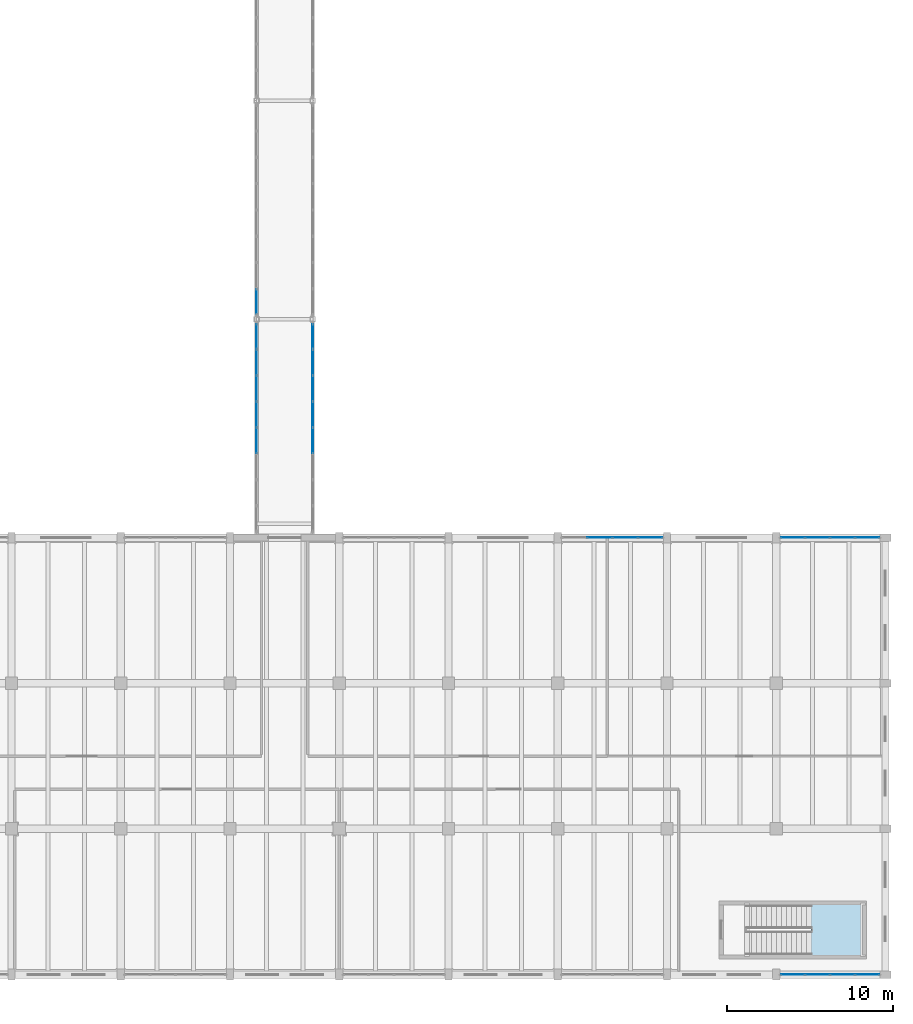
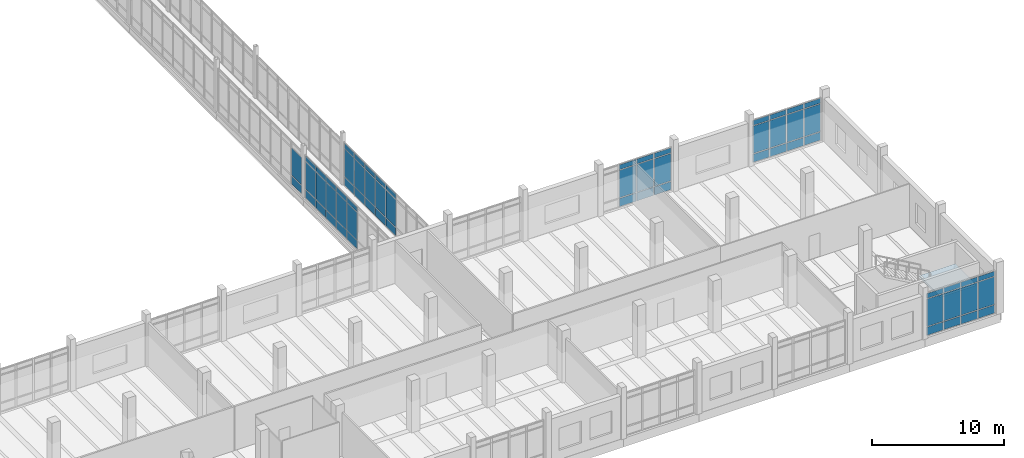
# One storey, part 74 of 125: 65 plates, 1 slab, 7 elements without a shape of their own.
"""IFC4 building model written with IfcOpenShell, lengths in metres."""

from ifc_helpers import new_model, si_unit, direction, frame, origin, origin_2d, place, context, subcontext, project, spatial, polyline, rectangle, outline, extrude, material, layer, layer_set, type_object, element, aggregate, save


model = new_model("IFC4")

# Units and contexts
model_context = context("Model", 3, precision=1e-05, world=origin(), true_north=direction((0.0, 1.0)))
body_context = subcontext(model_context, "Body", "Model", "MODEL_VIEW")
ifc_project = project(units=[si_unit("LENGTHUNIT", "METRE"), si_unit("AREAUNIT", "SQUARE_METRE"), si_unit("VOLUMEUNIT", "CUBIC_METRE"), si_unit("PLANEANGLEUNIT", "RADIAN"), si_unit("MASSUNIT", "GRAM", prefix="KILO")], contexts=[model_context])

# Site, building, storey
site_placement = place(None, origin())
site = spatial("IfcSite", under=ifc_project, at=site_placement, CompositionType="ELEMENT")
building_placement = place(site_placement, origin())
building = spatial("IfcBuilding", under=site, at=building_placement, Name="Dornvale Research Institute", CompositionType="ELEMENT")
storey_placement = place(building_placement, frame((0.0, 0.0, 5.39990234375)))
storey = spatial("IfcBuildingStorey", under=building, at=storey_placement, Name="L01", CompositionType="ELEMENT", Elevation=5.39990234375)

# Curtain wall, plates
ifc_material_1 = material(Name="Low-E Argon Double Insulating Glazing Unit", Category="glass")
curtain_wall_type_1 = type_object("IfcCurtainWallType", Name="UnitisedCurtainWall_V3_6150x4000", PredefinedType="USERDEFINED", material=ifc_material_1)
curtain_wall_1_placement = place(storey_placement, origin())
curtain_wall_1 = element("IfcCurtainWall", 1, at=curtain_wall_1_placement, inside=storey, type_object=curtain_wall_type_1, Name="L01 V3 unitised curtain wall CW-06 #34", ObjectType="UNITISED CURTAIN WALL", PredefinedType="USERDEFINED")
ifc_material_2 = material(Name="Insulated Ceramic-Frit Spandrel Glass Panel", Category="glass")
ifc_layer_1 = layer(ifc_material_2, 0.0419921875)
ifc_layer_set_1 = layer_set([ifc_layer_1], Name="Insulated Ceramic-Frit Spandrel Glass Panel")
plate_type_1 = type_object("IfcPlateType", Name="CurtainPanel_Spandrel_42", PredefinedType="CURTAIN_PANEL", material=ifc_layer_set_1)
plate_1_placement = place(storey_placement, frame((160.93115234375, 26.39990234375, 0.065185546875), z_axis=(0.0, 0.0, 1.0), x_axis=(1.0, 0.0, 0.0)))
plate_1 = element("IfcPlate", 2, at=plate_1_placement, type_object=plate_type_1, Name="CW-06 panel 2.1", PredefinedType="CURTAIN_PANEL", context=body_context, shape_type="SweptSolid", body=[
    extrude(rectangle(XDim=1.472412109375, YDim=0.0419921875, at=origin_2d()), origin(), (0.0, 0.0, 1.0), 0.75244140625),
])
plate_2_placement = place(storey_placement, frame((162.46875, 26.39990234375, 0.065185546875), z_axis=(0.0, 0.0, 1.0), x_axis=(1.0, 0.0, 0.0)))
plate_2 = element("IfcPlate", 3, at=plate_2_placement, type_object=plate_type_1, Name="CW-06 panel 3.1", PredefinedType="CURTAIN_PANEL", context=body_context, shape_type="SweptSolid", body=[
    extrude(rectangle(XDim=1.472412109375, YDim=0.0419921875, at=origin_2d()), origin(), (0.0, 0.0, 1.0), 0.75244140625),
])
plate_3_placement = place(storey_placement, frame((163.989990234375, 26.39990234375, 0.065185546875), z_axis=(0.0, 0.0, 1.0), x_axis=(1.0, 0.0, 0.0)))
plate_3 = element("IfcPlate", 4, at=plate_3_placement, type_object=plate_type_1, Name="CW-06 panel 4.1", PredefinedType="CURTAIN_PANEL", context=body_context, shape_type="SweptSolid", body=[
    extrude(rectangle(XDim=1.43994140625, YDim=0.0419921875, at=origin_2d()), origin(), (0.0, 0.0, 1.0), 0.75244140625),
])

ifc_material_3 = material(Name="Low-E Argon Double Insulating Glazing Unit", Category="glass")
curtain_wall_type_2 = type_object("IfcCurtainWallType", Name="UnitisedCurtainWall_V3_6050x4000", PredefinedType="USERDEFINED", material=ifc_material_3)
curtain_wall_2_placement = place(storey_placement, origin())
curtain_wall_2 = element("IfcCurtainWall", 5, at=curtain_wall_2_placement, inside=storey, type_object=curtain_wall_type_2, Name="L01 V3 unitised curtain wall CW-07 #35", ObjectType="UNITISED CURTAIN WALL", PredefinedType="USERDEFINED")
plate_4_placement = place(storey_placement, frame((172.597412109375, 26.39990234375, 0.065185546875), z_axis=(0.0, 0.0, 1.0), x_axis=(1.0, 0.0, 0.0)))
plate_4 = element("IfcPlate", 6, at=plate_4_placement, type_object=plate_type_1, Name="CW-07 panel 1.1", PredefinedType="CURTAIN_PANEL", context=body_context, shape_type="SweptSolid", body=[
    extrude(rectangle(XDim=1.4150390625, YDim=0.0419921875, at=origin_2d()), origin(), (0.0, 0.0, 1.0), 0.75244140625),
])
plate_5_placement = place(storey_placement, frame((174.09375, 26.39990234375, 0.065185546875), z_axis=(0.0, 0.0, 1.0), x_axis=(1.0, 0.0, 0.0)))
plate_5 = element("IfcPlate", 7, at=plate_5_placement, type_object=plate_type_1, Name="CW-07 panel 2.1", PredefinedType="CURTAIN_PANEL", context=body_context, shape_type="SweptSolid", body=[
    extrude(rectangle(XDim=1.447509765625, YDim=0.0419921875, at=origin_2d()), origin(), (0.0, 0.0, 1.0), 0.75244140625),
])
plate_6_placement = place(storey_placement, frame((175.606201171875, 26.39990234375, 0.065185546875), z_axis=(0.0, 0.0, 1.0), x_axis=(1.0, 0.0, 0.0)))
plate_6 = element("IfcPlate", 8, at=plate_6_placement, type_object=plate_type_1, Name="CW-07 panel 3.1", PredefinedType="CURTAIN_PANEL", context=body_context, shape_type="SweptSolid", body=[
    extrude(rectangle(XDim=1.447509765625, YDim=0.0419921875, at=origin_2d()), origin(), (0.0, 0.0, 1.0), 0.75244140625),
])
plate_7_placement = place(storey_placement, frame((177.1025390625, 26.39990234375, 0.065185546875), z_axis=(0.0, 0.0, 1.0), x_axis=(1.0, 0.0, 0.0)))
plate_7 = element("IfcPlate", 9, at=plate_7_placement, type_object=plate_type_1, Name="CW-07 panel 4.1", PredefinedType="CURTAIN_PANEL", context=body_context, shape_type="SweptSolid", body=[
    extrude(rectangle(XDim=1.4150390625, YDim=0.0419921875, at=origin_2d()), origin(), (0.0, 0.0, 1.0), 0.75244140625),
])

curtain_wall_3_placement = place(storey_placement, origin())
curtain_wall_3 = element("IfcCurtainWall", 10, at=curtain_wall_3_placement, inside=storey, type_object=curtain_wall_type_2, Name="L01 V3 unitised curtain wall CW-07 #36", ObjectType="UNITISED CURTAIN WALL", PredefinedType="USERDEFINED")
plate_8_placement = place(storey_placement, frame((177.1025390625, 0.0, 0.065185546875), z_axis=(0.0, 0.0, 1.0), x_axis=(-1.0, 0.0, 0.0)))
plate_8 = element("IfcPlate", 11, at=plate_8_placement, type_object=plate_type_1, Name="CW-07 panel 1.1", PredefinedType="CURTAIN_PANEL", context=body_context, shape_type="SweptSolid", body=[
    extrude(rectangle(XDim=1.4150390625, YDim=0.0419921875, at=origin_2d()), origin(), (0.0, 0.0, 1.0), 0.75244140625),
])
plate_9_placement = place(storey_placement, frame((175.606201171875, 0.0, 0.065185546875), z_axis=(0.0, 0.0, 1.0), x_axis=(-1.0, 0.0, 0.0)))
plate_9 = element("IfcPlate", 12, at=plate_9_placement, type_object=plate_type_1, Name="CW-07 panel 2.1", PredefinedType="CURTAIN_PANEL", context=body_context, shape_type="SweptSolid", body=[
    extrude(rectangle(XDim=1.447509765625, YDim=0.0419921875, at=origin_2d()), origin(), (0.0, 0.0, 1.0), 0.75244140625),
])
plate_10_placement = place(storey_placement, frame((174.09375, 0.0, 0.065185546875), z_axis=(0.0, 0.0, 1.0), x_axis=(-1.0, 0.0, 0.0)))
plate_10 = element("IfcPlate", 13, at=plate_10_placement, type_object=plate_type_1, Name="CW-07 panel 3.1", PredefinedType="CURTAIN_PANEL", context=body_context, shape_type="SweptSolid", body=[
    extrude(rectangle(XDim=1.447509765625, YDim=0.0419921875, at=origin_2d()), origin(), (0.0, 0.0, 1.0), 0.75244140625),
])
plate_11_placement = place(storey_placement, frame((172.597412109375, 0.0, 0.065185546875), z_axis=(0.0, 0.0, 1.0), x_axis=(-1.0, 0.0, 0.0)))
plate_11 = element("IfcPlate", 14, at=plate_11_placement, type_object=plate_type_1, Name="CW-07 panel 4.1", PredefinedType="CURTAIN_PANEL", context=body_context, shape_type="SweptSolid", body=[
    extrude(rectangle(XDim=1.4150390625, YDim=0.0419921875, at=origin_2d()), origin(), (0.0, 0.0, 1.0), 0.75244140625),
])

ifc_material_4 = material(Name="Low-E Argon Double Insulating Glazing Unit", Category="glass")
curtain_wall_type_3 = type_object("IfcCurtainWallType", Name="UnitisedCurtainWall_V2_12600x4000", PredefinedType="USERDEFINED", material=ifc_material_4)
curtain_wall_4_placement = place(storey_placement, origin())
curtain_wall_4 = element("IfcCurtainWall", 15, at=curtain_wall_4_placement, inside=storey, type_object=curtain_wall_type_3, Name="L01 V2 unitised curtain wall CW-41 #231", ObjectType="UNITISED CURTAIN WALL", PredefinedType="USERDEFINED")
plate_12_placement = place(storey_placement, frame((140.199951171875, 32.262451171875, 0.065185546875), z_axis=(0.0, 0.0, 1.0), x_axis=(0.0, 1.0, 0.0)))
plate_12 = element("IfcPlate", 16, at=plate_12_placement, type_object=plate_type_1, Name="CW-41 panel 4.1", PredefinedType="CURTAIN_PANEL", context=body_context, shape_type="SweptSolid", body=[
    extrude(rectangle(XDim=1.510009765625, YDim=0.0419921875, at=origin_2d()), origin(), (0.0, 0.0, 1.0), 0.75244140625),
])
plate_13_placement = place(storey_placement, frame((140.199951171875, 33.83740234375, 0.065185546875), z_axis=(0.0, 0.0, 1.0), x_axis=(0.0, 1.0, 0.0)))
plate_13 = element("IfcPlate", 17, at=plate_13_placement, type_object=plate_type_1, Name="CW-41 panel 5.1", PredefinedType="CURTAIN_PANEL", context=body_context, shape_type="SweptSolid", body=[
    extrude(rectangle(XDim=1.510009765625, YDim=0.0419921875, at=origin_2d()), origin(), (0.0, 0.0, 1.0), 0.75244140625),
])
plate_14_placement = place(storey_placement, frame((140.199951171875, 35.41259765625, 0.065185546875), z_axis=(0.0, 0.0, 1.0), x_axis=(0.0, 1.0, 0.0)))
plate_14 = element("IfcPlate", 18, at=plate_14_placement, type_object=plate_type_1, Name="CW-41 panel 6.1", PredefinedType="CURTAIN_PANEL", context=body_context, shape_type="SweptSolid", body=[
    extrude(rectangle(XDim=1.510009765625, YDim=0.0419921875, at=origin_2d()), origin(), (0.0, 0.0, 1.0), 0.75244140625),
])
plate_15_placement = place(storey_placement, frame((140.199951171875, 36.987548828125, 0.065185546875), z_axis=(0.0, 0.0, 1.0), x_axis=(0.0, 1.0, 0.0)))
plate_15 = element("IfcPlate", 19, at=plate_15_placement, type_object=plate_type_1, Name="CW-41 panel 7.1", PredefinedType="CURTAIN_PANEL", context=body_context, shape_type="SweptSolid", body=[
    extrude(rectangle(XDim=1.510009765625, YDim=0.0419921875, at=origin_2d()), origin(), (0.0, 0.0, 1.0), 0.75244140625),
])
plate_16_placement = place(storey_placement, frame((140.199951171875, 38.546142578125, 0.065185546875), z_axis=(0.0, 0.0, 1.0), x_axis=(0.0, 1.0, 0.0)))
plate_16 = element("IfcPlate", 20, at=plate_16_placement, type_object=plate_type_1, Name="CW-41 panel 8.1", PredefinedType="CURTAIN_PANEL", context=body_context, shape_type="SweptSolid", body=[
    extrude(rectangle(XDim=1.4775390625, YDim=0.0419921875, at=origin_2d()), origin(), (0.0, 0.0, 1.0), 0.75244140625),
])

curtain_wall_5_placement = place(storey_placement, origin())
curtain_wall_5 = element("IfcCurtainWall", 21, at=curtain_wall_5_placement, inside=storey, type_object=curtain_wall_type_3, Name="L01 V2 unitised curtain wall CW-41 #232", ObjectType="UNITISED CURTAIN WALL", PredefinedType="USERDEFINED")
plate_17_placement = place(storey_placement, frame((143.60009765625, 38.546142578125, 0.065185546875), z_axis=(0.0, 0.0, 1.0), x_axis=(0.0, -1.0, 0.0)))
plate_17 = element("IfcPlate", 22, at=plate_17_placement, type_object=plate_type_1, Name="CW-41 panel 1.1", PredefinedType="CURTAIN_PANEL", context=body_context, shape_type="SweptSolid", body=[
    extrude(rectangle(XDim=1.4775390625, YDim=0.0419921875, at=origin_2d()), origin(), (0.0, 0.0, 1.0), 0.75244140625),
])
plate_18_placement = place(storey_placement, frame((143.60009765625, 36.987548828125, 0.065185546875), z_axis=(0.0, 0.0, 1.0), x_axis=(0.0, -1.0, 0.0)))
plate_18 = element("IfcPlate", 23, at=plate_18_placement, type_object=plate_type_1, Name="CW-41 panel 2.1", PredefinedType="CURTAIN_PANEL", context=body_context, shape_type="SweptSolid", body=[
    extrude(rectangle(XDim=1.510009765625, YDim=0.0419921875, at=origin_2d()), origin(), (0.0, 0.0, 1.0), 0.75244140625),
])
plate_19_placement = place(storey_placement, frame((143.60009765625, 35.41259765625, 0.065185546875), z_axis=(0.0, 0.0, 1.0), x_axis=(0.0, -1.0, 0.0)))
plate_19 = element("IfcPlate", 24, at=plate_19_placement, type_object=plate_type_1, Name="CW-41 panel 3.1", PredefinedType="CURTAIN_PANEL", context=body_context, shape_type="SweptSolid", body=[
    extrude(rectangle(XDim=1.510009765625, YDim=0.0419921875, at=origin_2d()), origin(), (0.0, 0.0, 1.0), 0.75244140625),
])
plate_20_placement = place(storey_placement, frame((143.60009765625, 33.83740234375, 0.065185546875), z_axis=(0.0, 0.0, 1.0), x_axis=(0.0, -1.0, 0.0)))
plate_20 = element("IfcPlate", 25, at=plate_20_placement, type_object=plate_type_1, Name="CW-41 panel 4.1", PredefinedType="CURTAIN_PANEL", context=body_context, shape_type="SweptSolid", body=[
    extrude(rectangle(XDim=1.510009765625, YDim=0.0419921875, at=origin_2d()), origin(), (0.0, 0.0, 1.0), 0.75244140625),
])
plate_21_placement = place(storey_placement, frame((143.60009765625, 32.262451171875, 0.065185546875), z_axis=(0.0, 0.0, 1.0), x_axis=(0.0, -1.0, 0.0)))
plate_21 = element("IfcPlate", 26, at=plate_21_placement, type_object=plate_type_1, Name="CW-41 panel 5.1", PredefinedType="CURTAIN_PANEL", context=body_context, shape_type="SweptSolid", body=[
    extrude(rectangle(XDim=1.510009765625, YDim=0.0419921875, at=origin_2d()), origin(), (0.0, 0.0, 1.0), 0.75244140625),
])

# Curtain wall, plate
ifc_material_5 = material(Name="Low-E Argon Double Insulating Glazing Unit", Category="glass")
curtain_wall_type_4 = type_object("IfcCurtainWallType", Name="UnitisedCurtainWall_V2_12700x4000", PredefinedType="USERDEFINED", material=ifc_material_5)
curtain_wall_6_placement = place(storey_placement, origin())
curtain_wall_6 = element("IfcCurtainWall", 27, at=curtain_wall_6_placement, inside=storey, type_object=curtain_wall_type_4, Name="L01 V2 unitised curtain wall CW-42 #233", ObjectType="UNITISED CURTAIN WALL", PredefinedType="USERDEFINED")
plate_22_placement = place(storey_placement, frame((140.199951171875, 40.659912109375, 0.065185546875), z_axis=(0.0, 0.0, 1.0), x_axis=(0.0, 1.0, 0.0)))
plate_22 = element("IfcPlate", 28, at=plate_22_placement, type_object=plate_type_1, Name="CW-42 panel 1.1", PredefinedType="CURTAIN_PANEL", context=body_context, shape_type="SweptSolid", body=[
    extrude(rectangle(XDim=1.489990234375, YDim=0.0419921875, at=origin_2d()), origin(), (0.0, 0.0, 1.0), 0.75244140625),
])

# Plate
ifc_material_6 = material(Name="Low-E Argon Double Insulating Glazing Unit", Category="glass")
ifc_layer_2 = layer(ifc_material_6, 0.028076171875)
ifc_layer_set_2 = layer_set([ifc_layer_2], Name="Low-E Argon Double Insulating Glazing Unit")
plate_type_2 = type_object("IfcPlateType", Name="CurtainPanel_Vision_28", PredefinedType="CURTAIN_PANEL", material=ifc_layer_set_2)
plate_23_placement = place(storey_placement, frame((160.93115234375, 26.39990234375, 0.8828125), z_axis=(0.0, 0.0, 1.0), x_axis=(1.0, 0.0, 0.0)))
plate_23 = element("IfcPlate", 29, at=plate_23_placement, type_object=plate_type_2, Name="CW-06 panel 2.2", PredefinedType="CURTAIN_PANEL", context=body_context, shape_type="SweptSolid", body=[
    extrude(rectangle(XDim=1.472412109375, YDim=0.028076171875, at=origin_2d()), origin(), (0.0, 0.0, 1.0), 2.534912109375),
])

plate_24_placement = place(storey_placement, frame((160.93115234375, 26.39990234375, 3.482421875), z_axis=(0.0, 0.0, 1.0), x_axis=(1.0, 0.0, 0.0)))
plate_24 = element("IfcPlate", 30, at=plate_24_placement, type_object=plate_type_2, Name="CW-06 panel 2.3", PredefinedType="CURTAIN_PANEL", context=body_context, shape_type="SweptSolid", body=[
    extrude(rectangle(XDim=1.472412109375, YDim=0.028076171875, at=origin_2d()), origin(), (0.0, 0.0, 1.0), 0.452392578125),
])

plate_25_placement = place(storey_placement, frame((162.46875, 26.39990234375, 0.8828125), z_axis=(0.0, 0.0, 1.0), x_axis=(1.0, 0.0, 0.0)))
plate_25 = element("IfcPlate", 31, at=plate_25_placement, type_object=plate_type_2, Name="CW-06 panel 3.2", PredefinedType="CURTAIN_PANEL", context=body_context, shape_type="SweptSolid", body=[
    extrude(rectangle(XDim=1.472412109375, YDim=0.028076171875, at=origin_2d()), origin(), (0.0, 0.0, 1.0), 2.534912109375),
])

plate_26_placement = place(storey_placement, frame((162.46875, 26.39990234375, 3.482421875), z_axis=(0.0, 0.0, 1.0), x_axis=(1.0, 0.0, 0.0)))
plate_26 = element("IfcPlate", 32, at=plate_26_placement, type_object=plate_type_2, Name="CW-06 panel 3.3", PredefinedType="CURTAIN_PANEL", context=body_context, shape_type="SweptSolid", body=[
    extrude(rectangle(XDim=1.472412109375, YDim=0.028076171875, at=origin_2d()), origin(), (0.0, 0.0, 1.0), 0.452392578125),
])

plate_27_placement = place(storey_placement, frame((163.989990234375, 26.39990234375, 0.8828125), z_axis=(0.0, 0.0, 1.0), x_axis=(1.0, 0.0, 0.0)))
plate_27 = element("IfcPlate", 33, at=plate_27_placement, type_object=plate_type_2, Name="CW-06 panel 4.2", PredefinedType="CURTAIN_PANEL", context=body_context, shape_type="SweptSolid", body=[
    extrude(rectangle(XDim=1.43994140625, YDim=0.028076171875, at=origin_2d()), origin(), (0.0, 0.0, 1.0), 2.534912109375),
])

plate_28_placement = place(storey_placement, frame((163.989990234375, 26.39990234375, 3.482421875), z_axis=(0.0, 0.0, 1.0), x_axis=(1.0, 0.0, 0.0)))
plate_28 = element("IfcPlate", 34, at=plate_28_placement, type_object=plate_type_2, Name="CW-06 panel 4.3", PredefinedType="CURTAIN_PANEL", context=body_context, shape_type="SweptSolid", body=[
    extrude(rectangle(XDim=1.43994140625, YDim=0.028076171875, at=origin_2d()), origin(), (0.0, 0.0, 1.0), 0.452392578125),
])

aggregate(curtain_wall_1, [plate_1, plate_23, plate_24, plate_2, plate_25, plate_26, plate_3, plate_27, plate_28])

plate_29_placement = place(storey_placement, frame((172.597412109375, 26.39990234375, 0.8828125), z_axis=(0.0, 0.0, 1.0), x_axis=(1.0, 0.0, 0.0)))
plate_29 = element("IfcPlate", 35, at=plate_29_placement, type_object=plate_type_2, Name="CW-07 panel 1.2", PredefinedType="CURTAIN_PANEL", context=body_context, shape_type="SweptSolid", body=[
    extrude(rectangle(XDim=1.4150390625, YDim=0.028076171875, at=origin_2d()), origin(), (0.0, 0.0, 1.0), 2.534912109375),
])

plate_30_placement = place(storey_placement, frame((172.597412109375, 26.39990234375, 3.482421875), z_axis=(0.0, 0.0, 1.0), x_axis=(1.0, 0.0, 0.0)))
plate_30 = element("IfcPlate", 36, at=plate_30_placement, type_object=plate_type_2, Name="CW-07 panel 1.3", PredefinedType="CURTAIN_PANEL", context=body_context, shape_type="SweptSolid", body=[
    extrude(rectangle(XDim=1.4150390625, YDim=0.028076171875, at=origin_2d()), origin(), (0.0, 0.0, 1.0), 0.452392578125),
])

plate_31_placement = place(storey_placement, frame((174.09375, 26.39990234375, 0.8828125), z_axis=(0.0, 0.0, 1.0), x_axis=(1.0, 0.0, 0.0)))
plate_31 = element("IfcPlate", 37, at=plate_31_placement, type_object=plate_type_2, Name="CW-07 panel 2.2", PredefinedType="CURTAIN_PANEL", context=body_context, shape_type="SweptSolid", body=[
    extrude(rectangle(XDim=1.447509765625, YDim=0.028076171875, at=origin_2d()), origin(), (0.0, 0.0, 1.0), 2.534912109375),
])

plate_32_placement = place(storey_placement, frame((174.09375, 26.39990234375, 3.482421875), z_axis=(0.0, 0.0, 1.0), x_axis=(1.0, 0.0, 0.0)))
plate_32 = element("IfcPlate", 38, at=plate_32_placement, type_object=plate_type_2, Name="CW-07 panel 2.3", PredefinedType="CURTAIN_PANEL", context=body_context, shape_type="SweptSolid", body=[
    extrude(rectangle(XDim=1.447509765625, YDim=0.028076171875, at=origin_2d()), origin(), (0.0, 0.0, 1.0), 0.452392578125),
])

plate_33_placement = place(storey_placement, frame((175.606201171875, 26.39990234375, 0.8828125), z_axis=(0.0, 0.0, 1.0), x_axis=(1.0, 0.0, 0.0)))
plate_33 = element("IfcPlate", 39, at=plate_33_placement, type_object=plate_type_2, Name="CW-07 panel 3.2", PredefinedType="CURTAIN_PANEL", context=body_context, shape_type="SweptSolid", body=[
    extrude(rectangle(XDim=1.447509765625, YDim=0.028076171875, at=origin_2d()), origin(), (0.0, 0.0, 1.0), 2.534912109375),
])

plate_34_placement = place(storey_placement, frame((175.606201171875, 26.39990234375, 3.482421875), z_axis=(0.0, 0.0, 1.0), x_axis=(1.0, 0.0, 0.0)))
plate_34 = element("IfcPlate", 40, at=plate_34_placement, type_object=plate_type_2, Name="CW-07 panel 3.3", PredefinedType="CURTAIN_PANEL", context=body_context, shape_type="SweptSolid", body=[
    extrude(rectangle(XDim=1.447509765625, YDim=0.028076171875, at=origin_2d()), origin(), (0.0, 0.0, 1.0), 0.452392578125),
])

plate_35_placement = place(storey_placement, frame((177.1025390625, 26.39990234375, 0.8828125), z_axis=(0.0, 0.0, 1.0), x_axis=(1.0, 0.0, 0.0)))
plate_35 = element("IfcPlate", 41, at=plate_35_placement, type_object=plate_type_2, Name="CW-07 panel 4.2", PredefinedType="CURTAIN_PANEL", context=body_context, shape_type="SweptSolid", body=[
    extrude(rectangle(XDim=1.4150390625, YDim=0.028076171875, at=origin_2d()), origin(), (0.0, 0.0, 1.0), 2.534912109375),
])

plate_36_placement = place(storey_placement, frame((177.1025390625, 26.39990234375, 3.482421875), z_axis=(0.0, 0.0, 1.0), x_axis=(1.0, 0.0, 0.0)))
plate_36 = element("IfcPlate", 42, at=plate_36_placement, type_object=plate_type_2, Name="CW-07 panel 4.3", PredefinedType="CURTAIN_PANEL", context=body_context, shape_type="SweptSolid", body=[
    extrude(rectangle(XDim=1.4150390625, YDim=0.028076171875, at=origin_2d()), origin(), (0.0, 0.0, 1.0), 0.452392578125),
])

aggregate(curtain_wall_2, [plate_4, plate_29, plate_30, plate_5, plate_31, plate_32, plate_6, plate_33, plate_34, plate_7, plate_35, plate_36])

plate_37_placement = place(storey_placement, frame((177.1025390625, 0.0, 0.8828125), z_axis=(0.0, 0.0, 1.0), x_axis=(-1.0, 0.0, 0.0)))
plate_37 = element("IfcPlate", 43, at=plate_37_placement, type_object=plate_type_2, Name="CW-07 panel 1.2", PredefinedType="CURTAIN_PANEL", context=body_context, shape_type="SweptSolid", body=[
    extrude(rectangle(XDim=1.4150390625, YDim=0.028076171875, at=origin_2d()), origin(), (0.0, 0.0, 1.0), 2.534912109375),
])

plate_38_placement = place(storey_placement, frame((177.1025390625, 0.0, 3.482421875), z_axis=(0.0, 0.0, 1.0), x_axis=(-1.0, 0.0, 0.0)))
plate_38 = element("IfcPlate", 44, at=plate_38_placement, type_object=plate_type_2, Name="CW-07 panel 1.3", PredefinedType="CURTAIN_PANEL", context=body_context, shape_type="SweptSolid", body=[
    extrude(rectangle(XDim=1.4150390625, YDim=0.028076171875, at=origin_2d()), origin(), (0.0, 0.0, 1.0), 0.452392578125),
])

plate_39_placement = place(storey_placement, frame((175.606201171875, 0.0, 0.8828125), z_axis=(0.0, 0.0, 1.0), x_axis=(-1.0, 0.0, 0.0)))
plate_39 = element("IfcPlate", 45, at=plate_39_placement, type_object=plate_type_2, Name="CW-07 panel 2.2", PredefinedType="CURTAIN_PANEL", context=body_context, shape_type="SweptSolid", body=[
    extrude(rectangle(XDim=1.447509765625, YDim=0.028076171875, at=origin_2d()), origin(), (0.0, 0.0, 1.0), 2.534912109375),
])

plate_40_placement = place(storey_placement, frame((175.606201171875, 0.0, 3.482421875), z_axis=(0.0, 0.0, 1.0), x_axis=(-1.0, 0.0, 0.0)))
plate_40 = element("IfcPlate", 46, at=plate_40_placement, type_object=plate_type_2, Name="CW-07 panel 2.3", PredefinedType="CURTAIN_PANEL", context=body_context, shape_type="SweptSolid", body=[
    extrude(rectangle(XDim=1.447509765625, YDim=0.028076171875, at=origin_2d()), origin(), (0.0, 0.0, 1.0), 0.452392578125),
])

plate_41_placement = place(storey_placement, frame((174.09375, 0.0, 0.8828125), z_axis=(0.0, 0.0, 1.0), x_axis=(-1.0, 0.0, 0.0)))
plate_41 = element("IfcPlate", 47, at=plate_41_placement, type_object=plate_type_2, Name="CW-07 panel 3.2", PredefinedType="CURTAIN_PANEL", context=body_context, shape_type="SweptSolid", body=[
    extrude(rectangle(XDim=1.447509765625, YDim=0.028076171875, at=origin_2d()), origin(), (0.0, 0.0, 1.0), 2.534912109375),
])

plate_42_placement = place(storey_placement, frame((174.09375, 0.0, 3.482421875), z_axis=(0.0, 0.0, 1.0), x_axis=(-1.0, 0.0, 0.0)))
plate_42 = element("IfcPlate", 48, at=plate_42_placement, type_object=plate_type_2, Name="CW-07 panel 3.3", PredefinedType="CURTAIN_PANEL", context=body_context, shape_type="SweptSolid", body=[
    extrude(rectangle(XDim=1.447509765625, YDim=0.028076171875, at=origin_2d()), origin(), (0.0, 0.0, 1.0), 0.452392578125),
])

plate_43_placement = place(storey_placement, frame((172.597412109375, 0.0, 0.8828125), z_axis=(0.0, 0.0, 1.0), x_axis=(-1.0, 0.0, 0.0)))
plate_43 = element("IfcPlate", 49, at=plate_43_placement, type_object=plate_type_2, Name="CW-07 panel 4.2", PredefinedType="CURTAIN_PANEL", context=body_context, shape_type="SweptSolid", body=[
    extrude(rectangle(XDim=1.4150390625, YDim=0.028076171875, at=origin_2d()), origin(), (0.0, 0.0, 1.0), 2.534912109375),
])

plate_44_placement = place(storey_placement, frame((172.597412109375, 0.0, 3.482421875), z_axis=(0.0, 0.0, 1.0), x_axis=(-1.0, 0.0, 0.0)))
plate_44 = element("IfcPlate", 50, at=plate_44_placement, type_object=plate_type_2, Name="CW-07 panel 4.3", PredefinedType="CURTAIN_PANEL", context=body_context, shape_type="SweptSolid", body=[
    extrude(rectangle(XDim=1.4150390625, YDim=0.028076171875, at=origin_2d()), origin(), (0.0, 0.0, 1.0), 0.452392578125),
])

aggregate(curtain_wall_3, [plate_8, plate_37, plate_38, plate_9, plate_39, plate_40, plate_10, plate_41, plate_42, plate_11, plate_43, plate_44])

plate_45_placement = place(storey_placement, frame((140.199951171875, 32.262451171875, 0.8828125), z_axis=(0.0, 0.0, 1.0), x_axis=(0.0, 1.0, 0.0)))
plate_45 = element("IfcPlate", 51, at=plate_45_placement, type_object=plate_type_2, Name="CW-41 panel 4.2", PredefinedType="CURTAIN_PANEL", context=body_context, shape_type="SweptSolid", body=[
    extrude(rectangle(XDim=1.510009765625, YDim=0.028076171875, at=origin_2d()), origin(), (0.0, 0.0, 1.0), 2.534912109375),
])

plate_46_placement = place(storey_placement, frame((140.199951171875, 32.262451171875, 3.482421875), z_axis=(0.0, 0.0, 1.0), x_axis=(0.0, 1.0, 0.0)))
plate_46 = element("IfcPlate", 52, at=plate_46_placement, type_object=plate_type_2, Name="CW-41 panel 4.3", PredefinedType="CURTAIN_PANEL", context=body_context, shape_type="SweptSolid", body=[
    extrude(rectangle(XDim=1.510009765625, YDim=0.028076171875, at=origin_2d()), origin(), (0.0, 0.0, 1.0), 0.452392578125),
])

plate_47_placement = place(storey_placement, frame((140.199951171875, 33.83740234375, 0.8828125), z_axis=(0.0, 0.0, 1.0), x_axis=(0.0, 1.0, 0.0)))
plate_47 = element("IfcPlate", 53, at=plate_47_placement, type_object=plate_type_2, Name="CW-41 panel 5.2", PredefinedType="CURTAIN_PANEL", context=body_context, shape_type="SweptSolid", body=[
    extrude(rectangle(XDim=1.510009765625, YDim=0.028076171875, at=origin_2d()), origin(), (0.0, 0.0, 1.0), 2.534912109375),
])

plate_48_placement = place(storey_placement, frame((140.199951171875, 33.83740234375, 3.482421875), z_axis=(0.0, 0.0, 1.0), x_axis=(0.0, 1.0, 0.0)))
plate_48 = element("IfcPlate", 54, at=plate_48_placement, type_object=plate_type_2, Name="CW-41 panel 5.3", PredefinedType="CURTAIN_PANEL", context=body_context, shape_type="SweptSolid", body=[
    extrude(rectangle(XDim=1.510009765625, YDim=0.028076171875, at=origin_2d()), origin(), (0.0, 0.0, 1.0), 0.452392578125),
])

plate_49_placement = place(storey_placement, frame((140.199951171875, 35.41259765625, 0.8828125), z_axis=(0.0, 0.0, 1.0), x_axis=(0.0, 1.0, 0.0)))
plate_49 = element("IfcPlate", 55, at=plate_49_placement, type_object=plate_type_2, Name="CW-41 panel 6.2", PredefinedType="CURTAIN_PANEL", context=body_context, shape_type="SweptSolid", body=[
    extrude(rectangle(XDim=1.510009765625, YDim=0.028076171875, at=origin_2d()), origin(), (0.0, 0.0, 1.0), 2.534912109375),
])

plate_50_placement = place(storey_placement, frame((140.199951171875, 35.41259765625, 3.482421875), z_axis=(0.0, 0.0, 1.0), x_axis=(0.0, 1.0, 0.0)))
plate_50 = element("IfcPlate", 56, at=plate_50_placement, type_object=plate_type_2, Name="CW-41 panel 6.3", PredefinedType="CURTAIN_PANEL", context=body_context, shape_type="SweptSolid", body=[
    extrude(rectangle(XDim=1.510009765625, YDim=0.028076171875, at=origin_2d()), origin(), (0.0, 0.0, 1.0), 0.452392578125),
])

plate_51_placement = place(storey_placement, frame((140.199951171875, 36.987548828125, 0.8828125), z_axis=(0.0, 0.0, 1.0), x_axis=(0.0, 1.0, 0.0)))
plate_51 = element("IfcPlate", 57, at=plate_51_placement, type_object=plate_type_2, Name="CW-41 panel 7.2", PredefinedType="CURTAIN_PANEL", context=body_context, shape_type="SweptSolid", body=[
    extrude(rectangle(XDim=1.510009765625, YDim=0.028076171875, at=origin_2d()), origin(), (0.0, 0.0, 1.0), 2.534912109375),
])

plate_52_placement = place(storey_placement, frame((140.199951171875, 36.987548828125, 3.482421875), z_axis=(0.0, 0.0, 1.0), x_axis=(0.0, 1.0, 0.0)))
plate_52 = element("IfcPlate", 58, at=plate_52_placement, type_object=plate_type_2, Name="CW-41 panel 7.3", PredefinedType="CURTAIN_PANEL", context=body_context, shape_type="SweptSolid", body=[
    extrude(rectangle(XDim=1.510009765625, YDim=0.028076171875, at=origin_2d()), origin(), (0.0, 0.0, 1.0), 0.452392578125),
])

plate_53_placement = place(storey_placement, frame((140.199951171875, 38.546142578125, 0.8828125), z_axis=(0.0, 0.0, 1.0), x_axis=(0.0, 1.0, 0.0)))
plate_53 = element("IfcPlate", 59, at=plate_53_placement, type_object=plate_type_2, Name="CW-41 panel 8.2", PredefinedType="CURTAIN_PANEL", context=body_context, shape_type="SweptSolid", body=[
    extrude(rectangle(XDim=1.4775390625, YDim=0.028076171875, at=origin_2d()), origin(), (0.0, 0.0, 1.0), 2.534912109375),
])

plate_54_placement = place(storey_placement, frame((140.199951171875, 38.546142578125, 3.482421875), z_axis=(0.0, 0.0, 1.0), x_axis=(0.0, 1.0, 0.0)))
plate_54 = element("IfcPlate", 60, at=plate_54_placement, type_object=plate_type_2, Name="CW-41 panel 8.3", PredefinedType="CURTAIN_PANEL", context=body_context, shape_type="SweptSolid", body=[
    extrude(rectangle(XDim=1.4775390625, YDim=0.028076171875, at=origin_2d()), origin(), (0.0, 0.0, 1.0), 0.452392578125),
])

aggregate(curtain_wall_4, [plate_12, plate_45, plate_46, plate_13, plate_47, plate_48, plate_14, plate_49, plate_50, plate_15, plate_51, plate_52, plate_16, plate_53, plate_54])

plate_55_placement = place(storey_placement, frame((143.60009765625, 38.546142578125, 0.8828125), z_axis=(0.0, 0.0, 1.0), x_axis=(0.0, -1.0, 0.0)))
plate_55 = element("IfcPlate", 61, at=plate_55_placement, type_object=plate_type_2, Name="CW-41 panel 1.2", PredefinedType="CURTAIN_PANEL", context=body_context, shape_type="SweptSolid", body=[
    extrude(rectangle(XDim=1.4775390625, YDim=0.028076171875, at=origin_2d()), origin(), (0.0, 0.0, 1.0), 2.534912109375),
])

plate_56_placement = place(storey_placement, frame((143.60009765625, 38.546142578125, 3.482421875), z_axis=(0.0, 0.0, 1.0), x_axis=(0.0, -1.0, 0.0)))
plate_56 = element("IfcPlate", 62, at=plate_56_placement, type_object=plate_type_2, Name="CW-41 panel 1.3", PredefinedType="CURTAIN_PANEL", context=body_context, shape_type="SweptSolid", body=[
    extrude(rectangle(XDim=1.4775390625, YDim=0.028076171875, at=origin_2d()), origin(), (0.0, 0.0, 1.0), 0.452392578125),
])

plate_57_placement = place(storey_placement, frame((143.60009765625, 36.987548828125, 0.8828125), z_axis=(0.0, 0.0, 1.0), x_axis=(0.0, -1.0, 0.0)))
plate_57 = element("IfcPlate", 63, at=plate_57_placement, type_object=plate_type_2, Name="CW-41 panel 2.2", PredefinedType="CURTAIN_PANEL", context=body_context, shape_type="SweptSolid", body=[
    extrude(rectangle(XDim=1.510009765625, YDim=0.028076171875, at=origin_2d()), origin(), (0.0, 0.0, 1.0), 2.534912109375),
])

plate_58_placement = place(storey_placement, frame((143.60009765625, 36.987548828125, 3.482421875), z_axis=(0.0, 0.0, 1.0), x_axis=(0.0, -1.0, 0.0)))
plate_58 = element("IfcPlate", 64, at=plate_58_placement, type_object=plate_type_2, Name="CW-41 panel 2.3", PredefinedType="CURTAIN_PANEL", context=body_context, shape_type="SweptSolid", body=[
    extrude(rectangle(XDim=1.510009765625, YDim=0.028076171875, at=origin_2d()), origin(), (0.0, 0.0, 1.0), 0.452392578125),
])

plate_59_placement = place(storey_placement, frame((143.60009765625, 35.41259765625, 0.8828125), z_axis=(0.0, 0.0, 1.0), x_axis=(0.0, -1.0, 0.0)))
plate_59 = element("IfcPlate", 65, at=plate_59_placement, type_object=plate_type_2, Name="CW-41 panel 3.2", PredefinedType="CURTAIN_PANEL", context=body_context, shape_type="SweptSolid", body=[
    extrude(rectangle(XDim=1.510009765625, YDim=0.028076171875, at=origin_2d()), origin(), (0.0, 0.0, 1.0), 2.534912109375),
])

plate_60_placement = place(storey_placement, frame((143.60009765625, 35.41259765625, 3.482421875), z_axis=(0.0, 0.0, 1.0), x_axis=(0.0, -1.0, 0.0)))
plate_60 = element("IfcPlate", 66, at=plate_60_placement, type_object=plate_type_2, Name="CW-41 panel 3.3", PredefinedType="CURTAIN_PANEL", context=body_context, shape_type="SweptSolid", body=[
    extrude(rectangle(XDim=1.510009765625, YDim=0.028076171875, at=origin_2d()), origin(), (0.0, 0.0, 1.0), 0.452392578125),
])

plate_61_placement = place(storey_placement, frame((143.60009765625, 33.83740234375, 0.8828125), z_axis=(0.0, 0.0, 1.0), x_axis=(0.0, -1.0, 0.0)))
plate_61 = element("IfcPlate", 67, at=plate_61_placement, type_object=plate_type_2, Name="CW-41 panel 4.2", PredefinedType="CURTAIN_PANEL", context=body_context, shape_type="SweptSolid", body=[
    extrude(rectangle(XDim=1.510009765625, YDim=0.028076171875, at=origin_2d()), origin(), (0.0, 0.0, 1.0), 2.534912109375),
])

plate_62_placement = place(storey_placement, frame((143.60009765625, 33.83740234375, 3.482421875), z_axis=(0.0, 0.0, 1.0), x_axis=(0.0, -1.0, 0.0)))
plate_62 = element("IfcPlate", 68, at=plate_62_placement, type_object=plate_type_2, Name="CW-41 panel 4.3", PredefinedType="CURTAIN_PANEL", context=body_context, shape_type="SweptSolid", body=[
    extrude(rectangle(XDim=1.510009765625, YDim=0.028076171875, at=origin_2d()), origin(), (0.0, 0.0, 1.0), 0.452392578125),
])

plate_63_placement = place(storey_placement, frame((143.60009765625, 32.262451171875, 0.8828125), z_axis=(0.0, 0.0, 1.0), x_axis=(0.0, -1.0, 0.0)))
plate_63 = element("IfcPlate", 69, at=plate_63_placement, type_object=plate_type_2, Name="CW-41 panel 5.2", PredefinedType="CURTAIN_PANEL", context=body_context, shape_type="SweptSolid", body=[
    extrude(rectangle(XDim=1.510009765625, YDim=0.028076171875, at=origin_2d()), origin(), (0.0, 0.0, 1.0), 2.534912109375),
])

plate_64_placement = place(storey_placement, frame((143.60009765625, 32.262451171875, 3.482421875), z_axis=(0.0, 0.0, 1.0), x_axis=(0.0, -1.0, 0.0)))
plate_64 = element("IfcPlate", 70, at=plate_64_placement, type_object=plate_type_2, Name="CW-41 panel 5.3", PredefinedType="CURTAIN_PANEL", context=body_context, shape_type="SweptSolid", body=[
    extrude(rectangle(XDim=1.510009765625, YDim=0.028076171875, at=origin_2d()), origin(), (0.0, 0.0, 1.0), 0.452392578125),
])

aggregate(curtain_wall_5, [plate_17, plate_55, plate_56, plate_18, plate_57, plate_58, plate_19, plate_59, plate_60, plate_20, plate_61, plate_62, plate_21, plate_63, plate_64])

plate_65_placement = place(storey_placement, frame((140.199951171875, 40.659912109375, 0.8828125), z_axis=(0.0, 0.0, 1.0), x_axis=(0.0, 1.0, 0.0)))
plate_65 = element("IfcPlate", 71, at=plate_65_placement, type_object=plate_type_2, Name="CW-42 panel 1.2", PredefinedType="CURTAIN_PANEL", context=body_context, shape_type="SweptSolid", body=[
    extrude(rectangle(XDim=1.489990234375, YDim=0.028076171875, at=origin_2d()), origin(), (0.0, 0.0, 1.0), 2.534912109375),
])

aggregate(curtain_wall_6, [plate_22, plate_65])

# Stair, slab
ifc_material_7 = material(Name="Concrete f'c 45 MPa (C35/45)", Category="concrete")
stair_type = type_object("IfcStairType", Name="HalfTurnStair_RC", PredefinedType="HALF_TURN_STAIR", material=ifc_material_7)
stair_placement = place(storey_placement, origin())
stair = element("IfcStair", 72, at=stair_placement, inside=storey, type_object=stair_type, Name="L01 Exit stair ST-6", PredefinedType="HALF_TURN_STAIR")
ifc_material_8 = material(Name="Concrete f'c 45 MPa (C35/45)", Category="concrete")
ifc_layer_3 = layer(ifc_material_8, 0.199951171875)
ifc_layer_set_3 = layer_set([ifc_layer_3], Name="Concrete f'c 45 MPa (C35/45)")
slab_type = type_object("IfcSlabType", Name="Landing_Stair_200", PredefinedType="LANDING", material=ifc_layer_set_3)
slab_placement = place(storey_placement, frame((0.0, 0.0, 2.2001953125)))
slab = element("IfcSlab", 73, at=slab_placement, type_object=slab_type, Name="ST-6 landing 1", PredefinedType="LANDING", context=body_context, shape_type="SweptSolid", body=[
    extrude(outline(polyline([(173.68994140625, 1.169921875), (173.68994140625, 4.22998046875), (176.830078125, 4.22998046875), (176.830078125, 1.169921875), (173.68994140625, 1.169921875)])), origin(), (0.0, 0.0, 1.0), 0.199951171875),
])
aggregate(stair, [slab])

save(model, "model.ifc")
